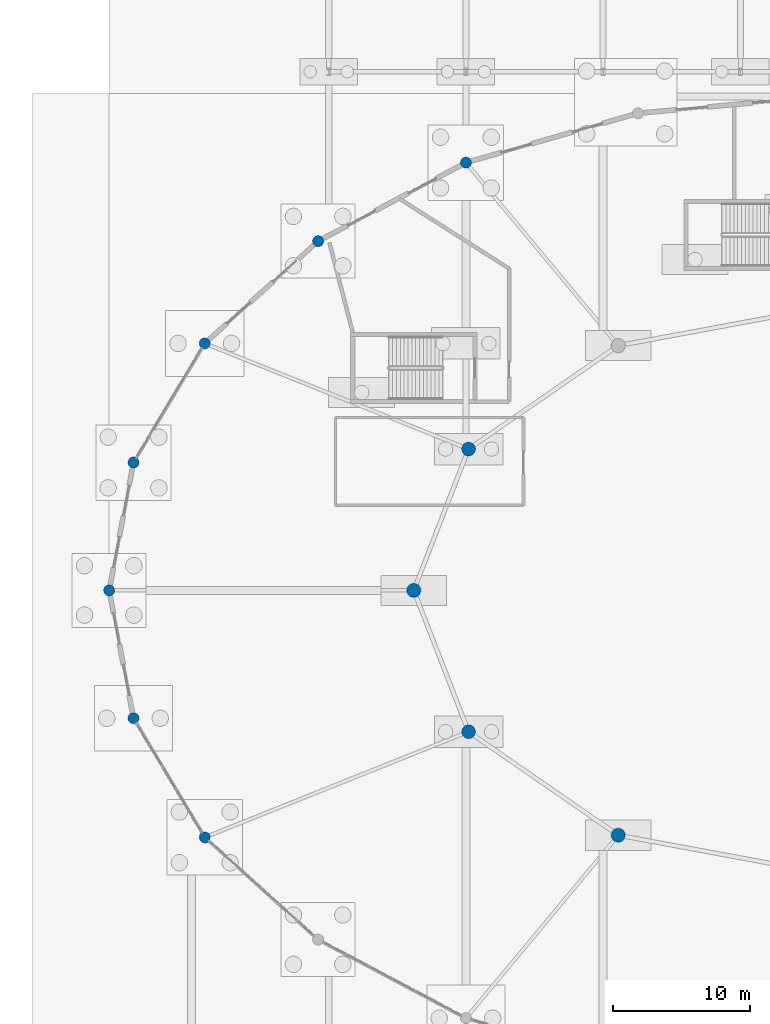
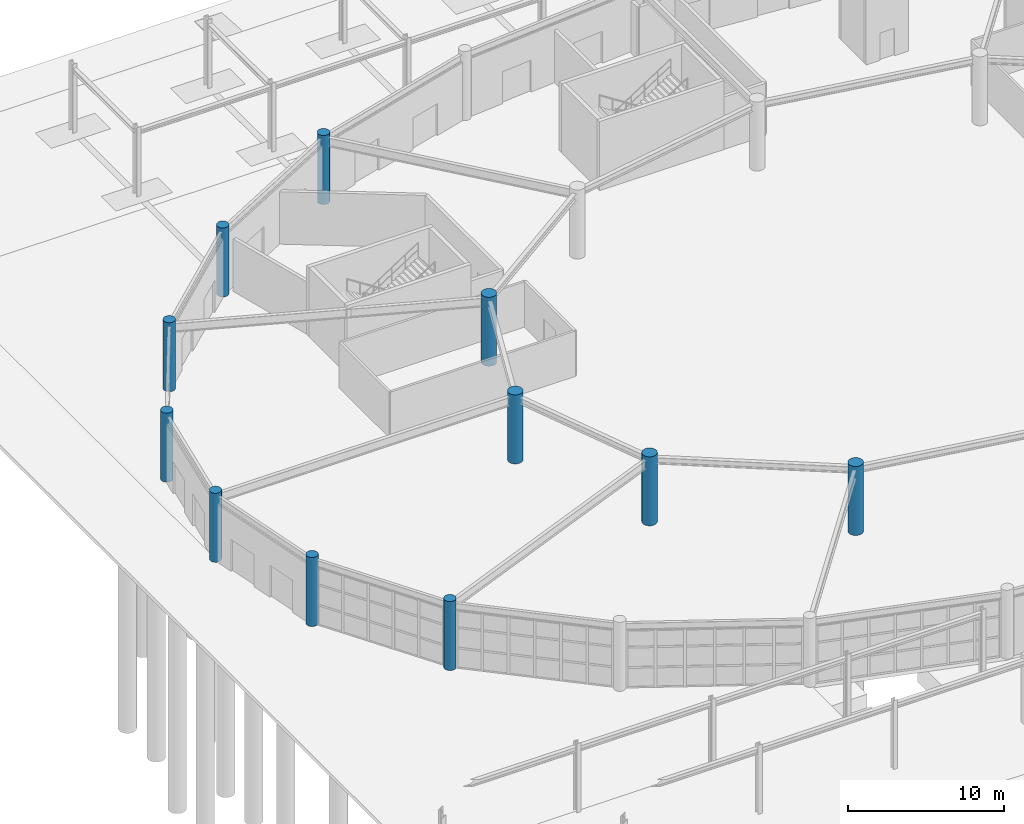
# One storey, part 17 of 99: 11 columns.
"""IFC4 building model written with IfcOpenShell, lengths in metres."""

from ifc_helpers import new_model, si_unit, direction, frame, origin, origin_2d, place, context, subcontext, project, spatial, circle, extrude, material, material_profile, profile_set, type_object, element, save


model = new_model("IFC4")

# Units and contexts
model_context = context("Model", 3, precision=1e-05, world=origin(), true_north=direction((0.0, 1.0)))
body_context = subcontext(model_context, "Body", "Model", "MODEL_VIEW")
ifc_project = project(units=[si_unit("LENGTHUNIT", "METRE"), si_unit("AREAUNIT", "SQUARE_METRE"), si_unit("VOLUMEUNIT", "CUBIC_METRE"), si_unit("PLANEANGLEUNIT", "RADIAN"), si_unit("MASSUNIT", "GRAM", prefix="KILO")], contexts=[model_context])

# Site, building, storey
site_placement = place(None, origin())
site = spatial("IfcSite", under=ifc_project, at=site_placement, CompositionType="ELEMENT")
building_placement = place(site_placement, origin())
building = spatial("IfcBuilding", under=site, at=building_placement, Name="Kivolera Central Railway Station", CompositionType="ELEMENT")
storey_placement = place(building_placement, origin())
storey = spatial("IfcBuildingStorey", under=building, at=storey_placement, Name="L00", CompositionType="ELEMENT", Elevation=0.0)

# Columns
ifc_material = material(Name="Concrete C40/50", Category="concrete")
ifc_material_profile_1 = material_profile(ifc_material, circle(Radius=0.5, at=origin_2d()), Name="RC D1000")
ifc_profile_set_1 = profile_set([ifc_material_profile_1], Name="Concrete C40/50")
column_type_1 = type_object("IfcColumnType", Name="COL-RC-D1000", PredefinedType="COLUMN", material=ifc_profile_set_1)
for number, where, z_axis, x_axis, name in (
    (1, (38.19189453125, 100.300048828125, 0.0), (0.0, 0.0, 1.0), (1.0, 0.0, 0.0), "L00 Oval Gallery Column I06"),
    (2, (34.199951171875, 90.0, 0.0), (0.0, 0.0, 1.0), (1.0, 0.0, 0.0), "L00 Oval Gallery Column I07"),
    (3, (38.19189453125, 79.699951171875, 0.0), (0.0, 0.0, 1.0), (1.0, 0.0, 0.0), "L00 Oval Gallery Column I08"),
    (4, (49.10009765625, 72.159912109375, 0.0), (0.0, 0.0, 1.0), (1.0, 0.0, 0.0), "L00 Oval Gallery Column I09"),
):
    element("IfcColumn", number, at=place(storey_placement, frame(where, z_axis=z_axis, x_axis=x_axis)), inside=storey, type_object=column_type_1, Name=name, PredefinedType="COLUMN", context=body_context, shape_type="SweptSolid", body=[
        extrude(circle(Radius=0.5, at=origin_2d()), origin(), (0.0, 0.0, 1.0), 5.39990234375),
    ])
ifc_material_profile_2 = material_profile(ifc_material, circle(Radius=0.39990234375, at=origin_2d()), Name="RC D800")
ifc_profile_set_2 = profile_set([ifc_material_profile_2], Name="Concrete C40/50")
column_type_2 = type_object("IfcColumnType", Name="COL-RC-D800", PredefinedType="COLUMN", material=ifc_profile_set_2)
for number, where, z_axis, x_axis, name in (
    (5, (38.0, 121.177001953125, 0.0), (0.0, 0.0, 1.0), (1.0, 0.0, 0.0), "L00 Oval Drum Perimeter Column P09"),
    (6, (27.22998046875, 115.4560546875, 0.0), (0.0, 0.0, 1.0), (1.0, 0.0, 0.0), "L00 Oval Drum Perimeter Column P10"),
    (7, (18.967041015625, 108.0, 0.0), (0.0, 0.0, 1.0), (1.0, 0.0, 0.0), "L00 Oval Drum Perimeter Column P11"),
    (8, (13.77197265625, 99.31689453125, 0.0), (0.0, 0.0, 1.0), (1.0, 0.0, 0.0), "L00 Oval Drum Perimeter Column P12"),
    (9, (12.0, 90.0, 0.0), (0.0, 0.0, 1.0), (1.0, 0.0, 0.0), "L00 Oval Drum Perimeter Column P13"),
    (10, (13.77197265625, 80.68310546875, 0.0), (0.0, 0.0, 1.0), (1.0, 0.0, 0.0), "L00 Oval Drum Perimeter Column P14"),
    (11, (18.967041015625, 72.0, 0.0), (0.0, 0.0, 1.0), (1.0, 0.0, 0.0), "L00 Oval Drum Perimeter Column P15"),
):
    element("IfcColumn", number, at=place(storey_placement, frame(where, z_axis=z_axis, x_axis=x_axis)), inside=storey, type_object=column_type_2, Name=name, PredefinedType="COLUMN", context=body_context, shape_type="SweptSolid", body=[
        extrude(circle(Radius=0.39990234375, at=origin_2d()), origin(), (0.0, 0.0, 1.0), 5.39990234375),
    ])

save(model, "model.ifc")
